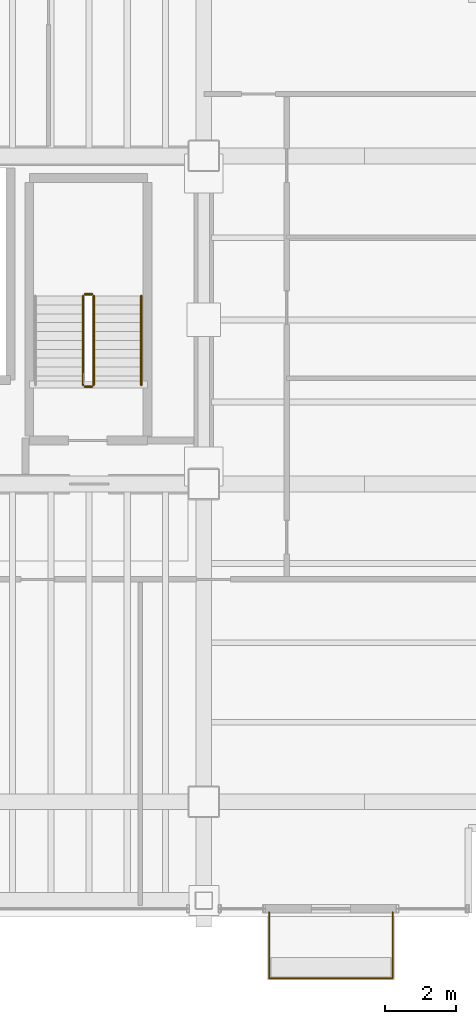
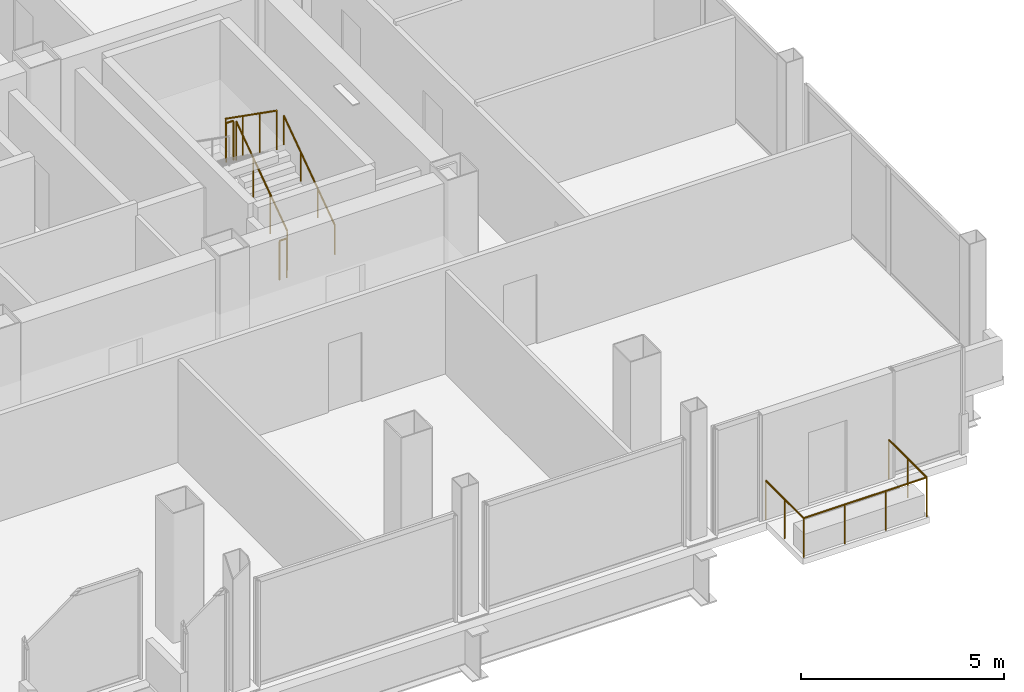
# One storey, part 19 of 19: 6 railings.
"""IFC4 building model written with IfcOpenShell, lengths in metres."""

import ifcopenshell
import ifcopenshell.guid

model = None  # the IFC model being written
_history = None  # IfcOwnerHistory: only IFC2X3 demands one
_inside = {}  # id of a spatial element -> (the spatial element, [elements in it])
_under = {}  # id of a project, library or spatial element -> (it, [spatial elements below it])
_declared = {}  # id of a project -> (the project, [libraries it declares])
_typed = {}  # id of a type object -> (the type object, [elements of that type])
_made_of = {}  # id of a material, layer set ... -> (it, [elements and type objects made of it])


def new_model(schema):
    """Start an empty IFC model of exactly this schema.

    Asked for "IFC4X3", IfcOpenShell would pick the latest addendum, in which some entities
    have other attributes; the version numbers below select the first issue.
    IFC2X3 requires an IfcOwnerHistory on every rooted entity: one is made here for all.
    """
    global model, _history
    if schema == "IFC4X3":
        model = ifcopenshell.file(schema_version=(4, 3, 0, 0))
    else:
        model = ifcopenshell.file(schema=schema)
    _inside.clear()
    _under.clear()
    _declared.clear()
    _typed.clear()
    _made_of.clear()
    _history = None
    if model.schema == "IFC2X3":
        org = make("IfcOrganization", Name="unknown")
        user = make(
            "IfcPersonAndOrganization",
            ThePerson=make("IfcPerson", FamilyName="unknown"),
            TheOrganization=org,
        )
        app = make(
            "IfcApplication",
            ApplicationDeveloper=org,
            Version="unknown",
            ApplicationFullName="unknown",
            ApplicationIdentifier="unknown",
        )
        _history = make(
            "IfcOwnerHistory",
            OwningUser=user,
            OwningApplication=app,
            ChangeAction="ADDED",
            CreationDate=0,
        )
    return model


def make(cls, **values):
    """One entity of the class cls with the attributes given. An attribute that is None is left unset."""
    return model.create_entity(
        cls, **{name: value for name, value in values.items() if value is not None}
    )


def rooted(cls, **values):
    """An entity with a GlobalId (a new one), such as an element, a storey or a relation."""
    return make(cls, GlobalId=ifcopenshell.guid.new(), OwnerHistory=_history, **values)


def si_unit(unit_type, name, prefix=None):
    """IfcSIUnit, for example si_unit("LENGTHUNIT", "METRE", prefix="MILLI")."""
    return make("IfcSIUnit", UnitType=unit_type, Prefix=prefix, Name=name)


def assignment(units):
    """IfcUnitAssignment: the units of a project."""
    return None if units is None else make("IfcUnitAssignment", Units=units)


def point(xyz):
    """IfcCartesianPoint."""
    return None if xyz is None else make("IfcCartesianPoint", Coordinates=xyz)


def direction(xyz):
    """IfcDirection."""
    return None if xyz is None else make("IfcDirection", DirectionRatios=xyz)


def frame(location, z_axis=None, x_axis=None):
    """IfcAxis2Placement3D, a coordinate frame: its origin and axes. An axis left out is left unset."""
    return make(
        "IfcAxis2Placement3D",
        Location=point(location),
        Axis=direction(z_axis),
        RefDirection=direction(x_axis),
    )


def frame_2d(location, x_axis=None):
    """IfcAxis2Placement2D, a coordinate frame in the plane: its origin and x axis."""
    return make(
        "IfcAxis2Placement2D", Location=point(location), RefDirection=direction(x_axis)
    )


def origin():
    """The frame at (0, 0, 0) with its axes left unset."""
    return frame((0.0, 0.0, 0.0))


def origin_2d():
    """The frame at (0, 0) in the plane with its x axis left unset."""
    return frame_2d((0.0, 0.0))


def place(relative_to, where):
    """IfcLocalPlacement: puts the frame where relative to a parent placement (None: the world)."""
    return make(
        "IfcLocalPlacement", PlacementRelTo=relative_to, RelativePlacement=where
    )


def context(
    kind, dimensions, precision=None, world=None, true_north=None, identifier=None
):
    """IfcGeometricRepresentationContext, for example the 3D "Model" context."""
    return make(
        "IfcGeometricRepresentationContext",
        ContextIdentifier=identifier,
        ContextType=kind,
        CoordinateSpaceDimension=dimensions,
        Precision=precision,
        WorldCoordinateSystem=world,
        TrueNorth=true_north,
    )


def subcontext(parent, identifier, kind, view, scale=None):
    """IfcGeometricRepresentationSubContext, for example "Body" below "Model"."""
    return make(
        "IfcGeometricRepresentationSubContext",
        ContextIdentifier=identifier,
        ContextType=kind,
        ParentContext=parent,
        TargetScale=scale,
        TargetView=view,
    )


def project(units=None, contexts=None):
    """IfcProject with its units and contexts."""
    return rooted(
        "IfcProject",
        Name="project",
        RepresentationContexts=contexts,
        UnitsInContext=assignment(units),
    )


def spatial(cls, under=None, at=None, **own):
    """A site, building, storey or space (cls), placed at a placement, below another one or the project."""
    s = rooted(cls, ObjectPlacement=at, **own)
    if under is not None:
        _under.setdefault(under.id(), (under, []))[1].append(s)
    return s


def profile(cls, at=None, kind="AREA", **sizes):
    """A parametric profile (cls). Its sizes go by their IFC names, for example OverallWidth=200.0."""
    return make(cls, ProfileType=kind, Position=at, **sizes)


def circle(**sizes):
    """IfcCircleProfileDef."""
    return profile("IfcCircleProfileDef", **sizes)


def extrude(swept, where, along, depth):
    """IfcExtrudedAreaSolid: the profile swept, set in the frame where, extruded along a direction by depth."""
    return make(
        "IfcExtrudedAreaSolid",
        SweptArea=swept,
        Position=where,
        ExtrudedDirection=direction(along),
        Depth=depth,
    )


def shape(context_of_items, identifier, shape_type, items):
    """IfcShapeRepresentation: the items that make up one representation, for example the "Body"."""
    return make(
        "IfcShapeRepresentation",
        ContextOfItems=context_of_items,
        RepresentationIdentifier=identifier,
        RepresentationType=shape_type,
        Items=items,
    )


def material(Name=None, Category=None):
    """IfcMaterial."""
    return make("IfcMaterial", Name=Name, Category=Category)


def layer(
    of_material, thickness, ventilated=None, Name=None, Category=None, Priority=None
):
    """IfcMaterialLayer: one layer of a wall or slab, of a material (None: an air gap)."""
    return make(
        "IfcMaterialLayer",
        Material=of_material,
        LayerThickness=thickness,
        IsVentilated=ventilated,
        Name=Name,
        Category=Category,
        Priority=Priority,
    )


def layer_set(layers, Name=None):
    """IfcMaterialLayerSet."""
    return make("IfcMaterialLayerSet", MaterialLayers=layers, LayerSetName=Name)


def made_of(thing, what):
    """Note that an element or type object is made of a material, layer set ...; save() writes the relation."""
    if what is not None:
        _made_of.setdefault(what.id(), (what, []))[1].append(thing)
    return thing


def type_object(cls, material=None, **own):
    """A type object (cls), such as IfcWallType, which elements share."""
    return made_of(rooted(cls, **own), material)


def element(
    cls,
    number,
    at=None,
    inside=None,
    cuts=None,
    type_object=None,
    material=None,
    context=None,
    identifier="Body",
    shape_type=None,
    held_by="IfcProductDefinitionShape",
    body=None,
    shapes=None,
    **own,
):
    """One element of the class cls, such as IfcWall. Its Tag is "e" and its number.

    at: its placement. inside: the storey or other place that contains it. cuts: it is an
    opening in that element (IfcRelVoidsElement). A single representation is given by context,
    identifier, shape_type and body (its items); several are given by shapes. held_by: the class
    of the entity that holds the representations. save() writes the other relations.
    """
    e = rooted(cls, Tag="e%d" % number, ObjectPlacement=at, **own)
    if body is not None:
        shapes = [shape(context, identifier, shape_type, body)]
    if shapes is not None:
        e.Representation = make(held_by, Representations=shapes)
    if inside is not None:
        _inside.setdefault(inside.id(), (inside, []))[1].append(e)
    if cuts is not None:
        rooted(
            "IfcRelVoidsElement", RelatingBuildingElement=cuts, RelatedOpeningElement=e
        )
    if type_object is not None:
        _typed.setdefault(type_object.id(), (type_object, []))[1].append(e)
    return made_of(e, material)


def aggregate(whole, parts):
    """IfcRelAggregates: a whole, such as a stair, and the parts it consists of."""
    return rooted("IfcRelAggregates", RelatingObject=whole, RelatedObjects=parts)


def save(model, path):
    """Write the relations noted so far, then the file.

    IfcRelAggregates (storeys below a building ...), IfcRelContainedInSpatialStructure (elements
    in a storey), IfcRelDefinesByType, IfcRelAssociatesMaterial and IfcRelDeclares: one each for
    every whole, place, type object, material and project.
    """
    for whole, parts in _under.values():
        aggregate(whole, parts)
    for where, things in _inside.values():
        rooted(
            "IfcRelContainedInSpatialStructure",
            RelatedElements=things,
            RelatingStructure=where,
        )
    for kind, things in _typed.values():
        rooted("IfcRelDefinesByType", RelatedObjects=things, RelatingType=kind)
    for what, things in _made_of.values():
        rooted("IfcRelAssociatesMaterial", RelatedObjects=things, RelatingMaterial=what)
    for by, libraries in _declared.values():
        rooted("IfcRelDeclares", RelatingContext=by, RelatedDefinitions=libraries)
    model.write(path)


model = new_model("IFC4")

# Units and contexts
model_context = context("Model", 3, precision=1e-05, world=origin(), true_north=direction((0.0, 1.0)))
body_context = subcontext(model_context, "Body", "Model", "MODEL_VIEW")
ifc_project = project(units=[si_unit("LENGTHUNIT", "METRE"), si_unit("AREAUNIT", "SQUARE_METRE"), si_unit("VOLUMEUNIT", "CUBIC_METRE"), si_unit("PLANEANGLEUNIT", "RADIAN"), si_unit("MASSUNIT", "GRAM", prefix="KILO")], contexts=[model_context])

# Site, building, storey
site_placement = place(None, origin())
site = spatial("IfcSite", under=ifc_project, at=site_placement, CompositionType="ELEMENT")
building_placement = place(site_placement, origin())
building = spatial("IfcBuilding", under=site, at=building_placement, Name="Noeulbin Bourse Tower", CompositionType="ELEMENT")
storey_placement = place(building_placement, frame((0.0, 0.0, 169.5)))
storey = spatial("IfcBuildingStorey", under=building, at=storey_placement, Name="L42", CompositionType="ELEMENT", Elevation=169.5)

# Railings
ifc_material_1 = material(Name="Laminated SentryGlas and Stainless Steel 316", Category="steel")
ifc_layer_1 = layer(ifc_material_1, 0.06005859375)
ifc_layer_set_1 = layer_set([ifc_layer_1], Name="Laminated SentryGlas and Stainless Steel 316")
railing_type_1 = type_object("IfcRailingType", Name="RLG-BAL-1200", PredefinedType="BALUSTRADE", material=ifc_layer_set_1)
railing_1_placement = place(storey_placement, frame((45.85009765625, 16.8701171875, 0.0)))
element("IfcRailing", 1, at=railing_1_placement, inside=storey, type_object=railing_type_1, Name="Tree-Balcony Glazed Balustrade L42", PredefinedType="BALUSTRADE", context=body_context, shape_type="SweptSolid", body=[
    extrude(circle(Radius=0.02392578125, at=origin_2d()), frame((0.0, 0.0, 1.17578125), z_axis=(0.0, -1.0, 0.0), x_axis=(1.0, 0.0, 0.0)), (0.0, 0.0, 1.0), 1.8701171875),
    extrude(circle(Radius=0.02392578125, at=origin_2d()), frame((0.0, -1.8701171875, 1.17578125), z_axis=(1.0, 0.0, 0.0), x_axis=(0.0, 1.0, 0.0)), (0.0, 0.0, 1.0), 3.5),
    extrude(circle(Radius=0.02392578125, at=origin_2d()), frame((3.5, -1.8701171875, 1.17578125), z_axis=(0.0, 1.0, 0.0), x_axis=(-1.0, 0.0, 0.0)), (0.0, 0.0, 1.0), 1.8701171875),
    extrude(circle(Radius=0.02099609375, at=origin_2d()), origin(), (0.0, 0.0, 1.0), 1.15185546875),
    extrude(circle(Radius=0.02099609375, at=origin_2d()), frame((0.0, -0.93505859375, 0.0)), (0.0, 0.0, 1.0), 1.15185546875),
    extrude(circle(Radius=0.02099609375, at=origin_2d()), frame((0.0, -1.8701171875, 0.0)), (0.0, 0.0, 1.0), 1.15185546875),
    extrude(circle(Radius=0.02099609375, at=origin_2d()), frame((1.166748046875, -1.8701171875, 0.0)), (0.0, 0.0, 1.0), 1.15185546875),
    extrude(circle(Radius=0.02099609375, at=origin_2d()), frame((2.333251953125, -1.8701171875, 0.0)), (0.0, 0.0, 1.0), 1.15185546875),
    extrude(circle(Radius=0.02099609375, at=origin_2d()), frame((3.5, -1.8701171875, 0.0)), (0.0, 0.0, 1.0), 1.15185546875),
    extrude(circle(Radius=0.02099609375, at=origin_2d()), frame((3.5, -0.93505859375, 0.0)), (0.0, 0.0, 1.0), 1.15185546875),
    extrude(circle(Radius=0.02099609375, at=origin_2d()), frame((3.5, 0.0, 0.0)), (0.0, 0.0, 1.0), 1.15185546875),
])
ifc_material_2 = material(Name="Painted Tubular Steel S355", Category="steel")
ifc_layer_2 = layer(ifc_material_2, 0.048095703125)
ifc_layer_set_2 = layer_set([ifc_layer_2], Name="Painted Tubular Steel S355")
railing_type_2 = type_object("IfcRailingType", Name="RLG-STR-GRD", PredefinedType="GUARDRAIL", material=ifc_layer_set_2)
railing_2_placement = place(storey_placement, frame((40.8798828125, 31.81005859375, 0.17724609375)))
element("IfcRailing", 2, at=railing_2_placement, inside=storey, type_object=railing_type_2, Name="L42 ST-2 stair guard 1", PredefinedType="GUARDRAIL", context=body_context, shape_type="SweptSolid", body=[
    extrude(circle(Radius=0.02392578125, at=origin_2d()), frame((0.0, 0.0, 1.17578125), z_axis=(0.0, 0.817904474719, 0.575354039036), x_axis=(-1.0, 0.0, 0.0)), (0.0, 0.0, 1.0), 3.0810546875),
    extrude(circle(Radius=0.02099609375, at=origin_2d()), origin(), (0.0, 0.0, 1.0), 1.15185546875),
    extrude(circle(Radius=0.02099609375, at=origin_2d()), frame((0.0, 0.840087890625, 0.5908203125)), (0.0, 0.0, 1.0), 1.15185546875),
    extrude(circle(Radius=0.02099609375, at=origin_2d()), frame((0.0, 1.679931640625, 1.181884765625)), (0.0, 0.0, 1.0), 1.15185546875),
    extrude(circle(Radius=0.02099609375, at=origin_2d()), frame((0.0, 2.52001953125, 1.772705078125)), (0.0, 0.0, 1.0), 1.15185546875),
])
railing_3_placement = place(storey_placement, frame((40.830078125, 34.3798828125, 1.949951171875)))
element("IfcRailing", 3, at=railing_3_placement, inside=storey, type_object=railing_type_2, Name="L42 ST-2 stair guard 2", PredefinedType="GUARDRAIL", context=body_context, shape_type="SweptSolid", body=[
    extrude(circle(Radius=0.02392578125, at=origin_2d()), frame((0.0, 0.0, 1.17578125), z_axis=(-1.0, 0.0, 0.0), x_axis=(0.0, -1.0, 0.0)), (0.0, 0.0, 1.0), 0.2001953125),
    extrude(circle(Radius=0.02099609375, at=origin_2d()), origin(), (0.0, 0.0, 1.0), 1.15185546875),
    extrude(circle(Radius=0.02099609375, at=origin_2d()), frame((-0.2001953125, 0.0, 0.0)), (0.0, 0.0, 1.0), 1.15185546875),
])
railing_4_placement = place(storey_placement, frame((40.580078125, 34.330078125, 2.127197265625)))
element("IfcRailing", 4, at=railing_4_placement, inside=storey, type_object=railing_type_2, Name="L42 ST-2 stair guard 3", PredefinedType="GUARDRAIL", context=body_context, shape_type="SweptSolid", body=[
    extrude(circle(Radius=0.02392578125, at=origin_2d()), frame((0.0, 0.0, 1.17578125), z_axis=(0.0, -0.817904474719, 0.575354039036), x_axis=(1.0, 0.0, 0.0)), (0.0, 0.0, 1.0), 3.0810546875),
    extrude(circle(Radius=0.02099609375, at=origin_2d()), origin(), (0.0, 0.0, 1.0), 1.15185546875),
    extrude(circle(Radius=0.02099609375, at=origin_2d()), frame((0.0, -0.840087890625, 0.5908203125)), (0.0, 0.0, 1.0), 1.15185546875),
    extrude(circle(Radius=0.02099609375, at=origin_2d()), frame((0.0, -1.679931640625, 1.181884765625)), (0.0, 0.0, 1.0), 1.15185546875),
    extrude(circle(Radius=0.02099609375, at=origin_2d()), frame((0.0, -2.52001953125, 1.772705078125)), (0.0, 0.0, 1.0), 1.15185546875),
])
railing_5_placement = place(storey_placement, frame((40.830078125, 31.760009765625, 0.0)))
element("IfcRailing", 5, at=railing_5_placement, inside=storey, type_object=railing_type_2, Name="L42 ST-2 stair guard 4", PredefinedType="GUARDRAIL", context=body_context, shape_type="SweptSolid", body=[
    extrude(circle(Radius=0.02392578125, at=origin_2d()), frame((0.0, 0.0, 1.17578125), z_axis=(-1.0, 0.0, 0.0), x_axis=(0.0, -1.0, 0.0)), (0.0, 0.0, 1.0), 0.2001953125),
    extrude(circle(Radius=0.02099609375, at=origin_2d()), origin(), (0.0, 0.0, 1.0), 1.15185546875),
    extrude(circle(Radius=0.02099609375, at=origin_2d()), frame((-0.2001953125, 0.0, 0.0)), (0.0, 0.0, 1.0), 1.15185546875),
])
ifc_material_3 = material(Name="Brushed Stainless Steel 316", Category="steel")
ifc_layer_3 = layer(ifc_material_3, 0.048095703125)
ifc_layer_set_3 = layer_set([ifc_layer_3], Name="Brushed Stainless Steel 316")
railing_type_3 = type_object("IfcRailingType", Name="RLG-STR-HND", PredefinedType="HANDRAIL", material=ifc_layer_set_3)
railing_6_placement = place(storey_placement, frame((42.22998046875, 31.81005859375, 0.17724609375)))
element("IfcRailing", 6, at=railing_6_placement, inside=storey, type_object=railing_type_3, Name="L42 ST-2 stair handrail 1", PredefinedType="HANDRAIL", context=body_context, shape_type="SweptSolid", body=[
    extrude(circle(Radius=0.02392578125, at=origin_2d()), frame((0.0, 0.0, 0.8759765625), z_axis=(0.0, 0.817904474719, 0.575354039036), x_axis=(-1.0, 0.0, 0.0)), (0.0, 0.0, 1.0), 3.0810546875),
    extrude(circle(Radius=0.02099609375, at=origin_2d()), origin(), (0.0, 0.0, 1.0), 0.851806640625),
    extrude(circle(Radius=0.02099609375, at=origin_2d()), frame((0.0, 0.840087890625, 0.5908203125)), (0.0, 0.0, 1.0), 0.851806640625),
    extrude(circle(Radius=0.02099609375, at=origin_2d()), frame((0.0, 1.679931640625, 1.181884765625)), (0.0, 0.0, 1.0), 0.851806640625),
    extrude(circle(Radius=0.02099609375, at=origin_2d()), frame((0.0, 2.52001953125, 1.772705078125)), (0.0, 0.0, 1.0), 0.851806640625),
])

save(model, "model.ifc")
